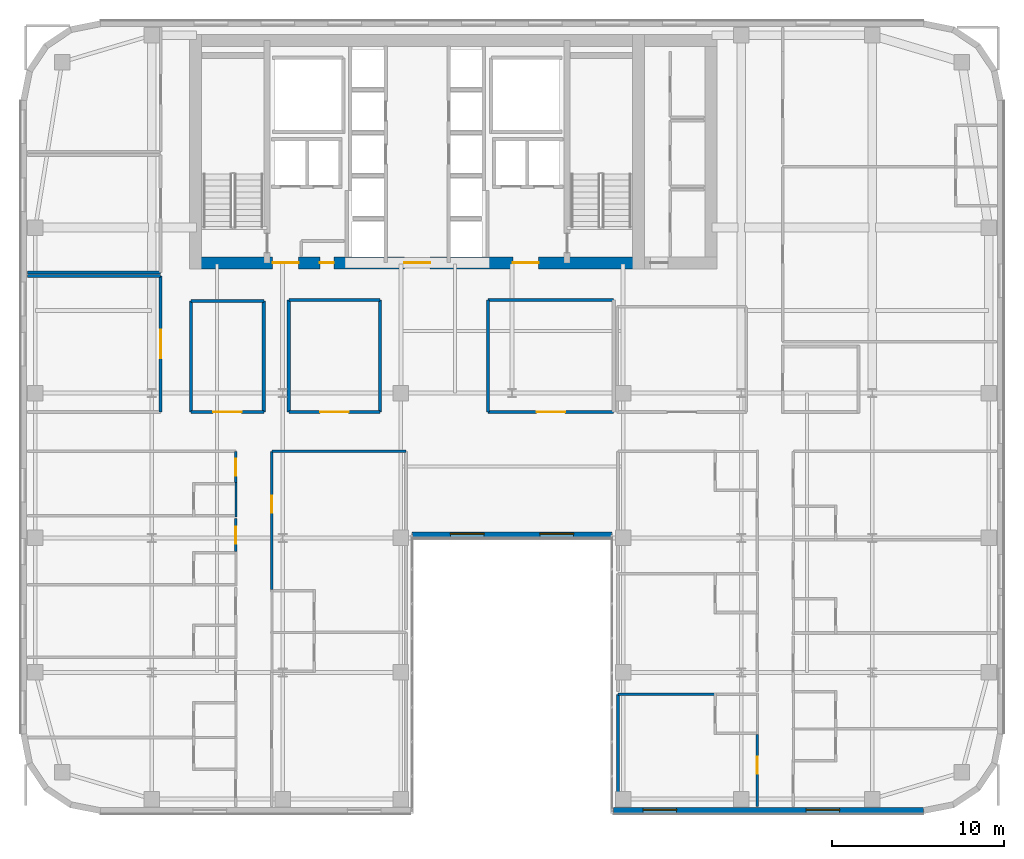
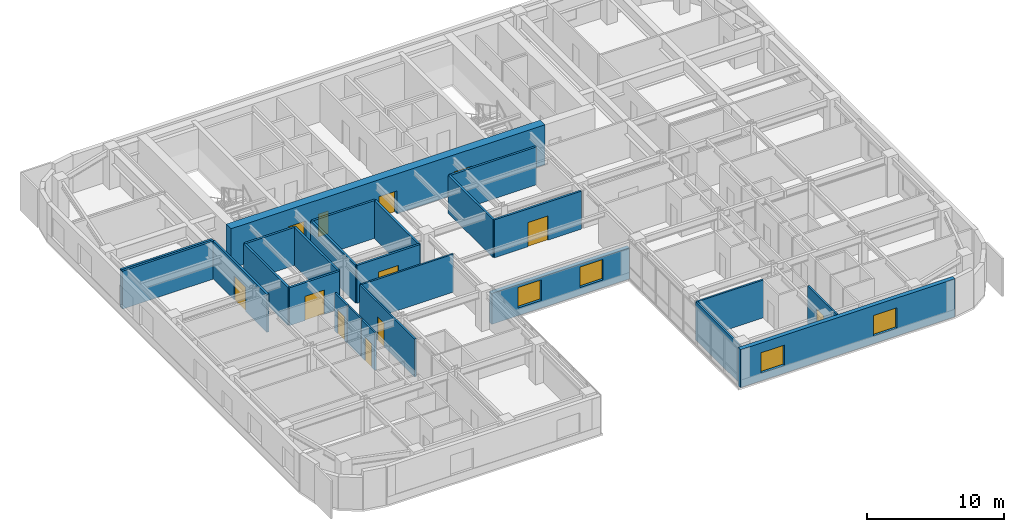
# One storey, part 15 of 25: 25 walls, 12 doors, 4 windows, 16 openings.
"""IFC4 building model written with IfcOpenShell, lengths in metres."""

from ifc_helpers import new_model, si_unit, direction, frame, frame_2d, origin, place, context, subcontext, project, spatial, rectangle, extrude, source, transform, mapped, material, layer, layer_set, type_object, type_shapes, element, fill, save


model = new_model("IFC4")

# Units and contexts
model_context = context("Model", 3, precision=1e-05, world=origin(), true_north=direction((0.0, 1.0)))
body_context = subcontext(model_context, "Body", "Model", "MODEL_VIEW")
ifc_project = project(units=[si_unit("LENGTHUNIT", "METRE"), si_unit("AREAUNIT", "SQUARE_METRE"), si_unit("VOLUMEUNIT", "CUBIC_METRE"), si_unit("PLANEANGLEUNIT", "RADIAN"), si_unit("MASSUNIT", "GRAM", prefix="KILO")], contexts=[model_context])

# Site, building, storey
site_placement = place(None, origin())
site = spatial("IfcSite", under=ifc_project, at=site_placement, CompositionType="ELEMENT")
building_placement = place(site_placement, origin())
building = spatial("IfcBuilding", under=site, at=building_placement, Name="Tolvann Quenvar Hotel", CompositionType="ELEMENT")
storey_placement = place(building_placement, frame((0.0, 0.0, 111.550048828125)))
storey = spatial("IfcBuildingStorey", under=building, at=storey_placement, Name="L28", CompositionType="ELEMENT", Elevation=111.550048828125)

# Wall, openings, doors
ifc_material_1 = material(Name="Concrete S65 (65 MPa)", Category="concrete")
ifc_layer_1 = layer(ifc_material_1, 0.699951171875)
ifc_layer_set_1 = layer_set([ifc_layer_1], Name="Concrete S65 (65 MPa)")
wall_type_1 = type_object("IfcWallType", Name="WALL_CORE_700", PredefinedType="SHEAR", material=ifc_layer_set_1)
wall_1_placement = place(storey_placement, frame((9.800048828125, 31.949951171875, 0.0), z_axis=(0.0, 0.0, 1.0), x_axis=(1.0, 0.0, 0.0)))
wall_1 = element("IfcWall", 1, at=wall_1_placement, inside=storey, type_object=wall_type_1, Name="Rear Core S Shear Wall (L28)", PredefinedType="SHEAR", context=body_context, shape_type="SweptSolid", body=[
    extrude(rectangle(XDim=26.39990234375, YDim=0.699951171875, at=frame_2d((13.199951171875, 0.0))), origin(), (0.0, 0.0, 1.0), 3.550048828125),
])
opening_1_placement = place(wall_1_placement, frame((6.320068359375, 0.0, 0.0), z_axis=(0.0, 0.0, 1.0), x_axis=(-1.0, 0.0, 0.0)))
opening_1 = element("IfcOpeningElement", 2, at=opening_1_placement, cuts=wall_1, Name="Opening FD-60D", PredefinedType="OPENING", context=body_context, shape_type="SweptSolid", body=[
    extrude(rectangle(XDim=1.5, YDim=2.0400390625, at=frame_2d((0.75, 1.02001953125))), frame((0.0, 0.35986328125, 0.0), z_axis=(0.0, -1.0, 0.0), x_axis=(1.0, 0.0, 0.0)), (0.0, 0.0, 1.0), 0.719970703125),
])
opening_2_placement = place(wall_1_placement, frame((13.949951171875, 0.0, 0.0), z_axis=(0.0, 0.0, 1.0), x_axis=(-1.0, 0.0, 0.0)))
opening_2 = element("IfcOpeningElement", 3, at=opening_2_placement, cuts=wall_1, Name="Opening FD-60D", PredefinedType="OPENING", context=body_context, shape_type="SweptSolid", body=[
    extrude(rectangle(XDim=1.5, YDim=2.0400390625, at=frame_2d((0.75, 1.02001953125))), frame((0.0, 0.35986328125, 0.0), z_axis=(0.0, -1.0, 0.0), x_axis=(1.0, 0.0, 0.0)), (0.0, 0.0, 1.0), 0.719970703125),
])
opening_3_placement = place(wall_1_placement, frame((20.25, 0.0, 0.0), z_axis=(0.0, 0.0, 1.0), x_axis=(-1.0, 0.0, 0.0)))
opening_3 = element("IfcOpeningElement", 4, at=opening_3_placement, cuts=wall_1, Name="Opening FD-60D", PredefinedType="OPENING", context=body_context, shape_type="SweptSolid", body=[
    extrude(rectangle(XDim=1.5, YDim=2.0400390625, at=frame_2d((0.75, 1.02001953125))), frame((0.0, 0.35986328125, 0.0), z_axis=(0.0, -1.0, 0.0), x_axis=(1.0, 0.0, 0.0)), (0.0, 0.0, 1.0), 0.719970703125),
])
opening_4_placement = place(wall_1_placement, frame((8.3701171875, 0.0, 0.0), z_axis=(0.0, 0.0, 1.0), x_axis=(-1.0, 0.0, 0.0)))
opening_4 = element("IfcOpeningElement", 5, at=opening_4_placement, cuts=wall_1, Name="Opening HD-02", PredefinedType="OPENING", context=body_context, shape_type="SweptSolid", body=[
    extrude(rectangle(XDim=0.820068359375, YDim=2.010009765625, at=frame_2d((0.41015625, 1.0048828125))), frame((0.0, 0.35986328125, 0.0), z_axis=(0.0, -1.0, 0.0), x_axis=(1.0, 0.0, 0.0)), (0.0, 0.0, 1.0), 0.719970703125),
])
ifc_material_2 = material(Name="Solid-core American oak acoustic fire door leaf in steel frame", Category="steel")
door_type_1 = type_object("IfcDoorType", Name="DOOR_FIRE_LOBBY_1500", OperationType="NOTDEFINED", PredefinedType="DOOR", material=ifc_material_2)
shared_shape_1 = source(origin(), body_context, "Body", "SweptSolid", [
    extrude(rectangle(XDim=1.5, YDim=2.0400390625, at=frame_2d((0.75, 1.02001953125))), frame((0.0, 0.02490234375, 0.0), z_axis=(0.0, -1.0, 0.0), x_axis=(1.0, 0.0, 0.0)), (0.0, 0.0, 1.0), 0.050048828125),
])
type_shapes(door_type_1, [shared_shape_1])
door_1_placement = place(opening_1_placement, origin())
door_1 = element("IfcDoor", 6, at=door_1_placement, inside=storey, type_object=door_type_1, Name="Core Lobby Fire Door FFW (L28)", OperationType="DOUBLE_DOOR_SINGLE_SWING", OverallHeight=2.0400390625, OverallWidth=1.5, PredefinedType="DOOR", context=body_context, shape_type="MappedRepresentation", body=[
    mapped(shared_shape_1, transform((0.0, 0.0, 0.0), x_axis=(1.0, 0.0, 0.0), y_axis=(0.0, 1.0, 0.0), z_axis=(0.0, 0.0, 1.0), scale=1.0)),
])
fill(opening_1, door_1)
door_2_placement = place(opening_2_placement, origin())
door_2 = element("IfcDoor", 7, at=door_2_placement, inside=storey, type_object=door_type_1, Name="Core Lobby Fire Door CLOB (L28)", OperationType="DOUBLE_DOOR_SINGLE_SWING", OverallHeight=2.0400390625, OverallWidth=1.5, PredefinedType="DOOR", context=body_context, shape_type="MappedRepresentation", body=[
    mapped(shared_shape_1, transform((0.0, 0.0, 0.0), x_axis=(1.0, 0.0, 0.0), y_axis=(0.0, 1.0, 0.0), z_axis=(0.0, 0.0, 1.0), scale=1.0)),
])
fill(opening_2, door_2)
door_3_placement = place(opening_3_placement, origin())
door_3 = element("IfcDoor", 8, at=door_3_placement, inside=storey, type_object=door_type_1, Name="Core Lobby Fire Door FFE (L28)", OperationType="DOUBLE_DOOR_SINGLE_SWING", OverallHeight=2.0400390625, OverallWidth=1.5, PredefinedType="DOOR", context=body_context, shape_type="MappedRepresentation", body=[
    mapped(shared_shape_1, transform((0.0, 0.0, 0.0), x_axis=(1.0, 0.0, 0.0), y_axis=(0.0, 1.0, 0.0), z_axis=(0.0, 0.0, 1.0), scale=1.0)),
])
fill(opening_3, door_3)
ifc_material_3 = material(Name="Pressed galvanised steel fire-rated door set", Category="steel")
door_type_2 = type_object("IfcDoorType", Name="DOOR_STORE_820", OperationType="NOTDEFINED", PredefinedType="DOOR", material=ifc_material_3)
shared_shape_2 = source(origin(), body_context, "Body", "SweptSolid", [
    extrude(rectangle(XDim=0.820068359375, YDim=2.010009765625, at=frame_2d((0.41015625, 1.0048828125))), frame((0.0, 0.02490234375, 0.0), z_axis=(0.0, -1.0, 0.0), x_axis=(1.0, 0.0, 0.0)), (0.0, 0.0, 1.0), 0.050048828125),
])
type_shapes(door_type_2, [shared_shape_2])
door_4_placement = place(opening_4_placement, origin())
door_4 = element("IfcDoor", 9, at=door_4_placement, inside=storey, type_object=door_type_2, Name="Core Linen Store Fire Door (L28)", OperationType="SINGLE_SWING_LEFT", OverallHeight=2.010009765625, OverallWidth=0.820068359375, PredefinedType="DOOR", context=body_context, shape_type="MappedRepresentation", body=[
    mapped(shared_shape_2, transform((0.0, 0.0, 0.0), x_axis=(1.0, 0.0, 0.0), y_axis=(0.0, 1.0, 0.0), z_axis=(0.0, 0.0, 1.0), scale=1.0)),
])
fill(opening_4, door_4)

# Wall, openings, windows
ifc_material_4 = material(Name="Kiln-fired red and buff architectural clay brickwork and terracotta masonry", Category="masonry")
ifc_layer_2 = layer(ifc_material_4, 0.35009765625)
ifc_layer_set_2 = layer_set([ifc_layer_2], Name="Kiln-fired red and buff architectural clay brickwork and terracotta masonry")
wall_type_2 = type_object("IfcWallType", Name="WALL_EXT_BRICK_350", PredefinedType="SOLIDWALL", material=ifc_layer_set_2)
wall_2_placement = place(storey_placement, frame((22.7099609375, 16.175048828125, 0.0), z_axis=(0.0, 0.0, 1.0), x_axis=(1.0, 0.0, 0.0)))
wall_2 = element("IfcWall", 10, at=wall_2_placement, inside=storey, type_object=wall_type_2, Name="Exterior Chicago Brick Wall L28-E06", PredefinedType="SOLIDWALL", context=body_context, shape_type="SweptSolid", body=[
    extrude(rectangle(XDim=11.580078125, YDim=0.35009765625, at=frame_2d((5.7900390625, 0.0))), origin(), (0.0, 0.0, 1.0), 2.748046875),
])
opening_5_placement = place(wall_2_placement, frame((2.219970703125, 0.0, 0.679931640625)))
opening_5 = element("IfcOpeningElement", 11, at=opening_5_placement, cuts=wall_2, Name="Opening W-10", PredefinedType="OPENING", context=body_context, shape_type="SweptSolid", body=[
    extrude(rectangle(XDim=1.949951171875, YDim=1.820068359375, at=frame_2d((0.97509765625, 0.91015625))), frame((0.0, 0.18505859375, 0.0), z_axis=(0.0, -1.0, 0.0), x_axis=(1.0, 0.0, 0.0)), (0.0, 0.0, 1.0), 0.3701171875),
])
opening_6_placement = place(wall_2_placement, frame((7.409912109375, 0.0, 0.679931640625)))
opening_6 = element("IfcOpeningElement", 12, at=opening_6_placement, cuts=wall_2, Name="Opening W-10", PredefinedType="OPENING", context=body_context, shape_type="SweptSolid", body=[
    extrude(rectangle(XDim=1.949951171875, YDim=1.820068359375, at=frame_2d((0.97509765625, 0.91015625))), frame((0.0, 0.18505859375, 0.0), z_axis=(0.0, -1.0, 0.0), x_axis=(1.0, 0.0, 0.0)), (0.0, 0.0, 1.0), 0.3701171875),
])
ifc_material_5 = material(Name="Thermally broken bronze-anodised aluminium frame with double low-E glazing", Category="aluminium")
window_type = type_object("IfcWindowType", Name="WIN_CLB_1950x1850", PartitioningType="DOUBLE_PANEL_VERTICAL", PredefinedType="WINDOW", material=ifc_material_5)
shared_shape_3 = source(origin(), body_context, "Body", "SweptSolid", [
    extrude(rectangle(XDim=1.949951171875, YDim=1.820068359375, at=frame_2d((0.97509765625, 0.91015625))), frame((0.0, 0.090087890625, 0.0), z_axis=(0.0, -1.0, 0.0), x_axis=(1.0, 0.0, 0.0)), (0.0, 0.0, 1.0), 0.06005859375),
])
type_shapes(window_type, [shared_shape_3])
window_1_placement = place(opening_5_placement, origin())
window_1 = element("IfcWindow", 13, at=window_1_placement, inside=storey, type_object=window_type, Name="Chicago Window W-10 (EW-L28-E06-W01)", OverallHeight=1.820068359375, OverallWidth=1.949951171875, PartitioningType="DOUBLE_PANEL_VERTICAL", PredefinedType="WINDOW", context=body_context, shape_type="MappedRepresentation", body=[
    mapped(shared_shape_3, transform((0.0, 0.0, 0.0), x_axis=(1.0, 0.0, 0.0), y_axis=(0.0, 1.0, 0.0), z_axis=(0.0, 0.0, 1.0), scale=1.0)),
])
fill(opening_5, window_1)
window_2_placement = place(opening_6_placement, origin())
window_2 = element("IfcWindow", 14, at=window_2_placement, inside=storey, type_object=window_type, Name="Chicago Window W-10 (EW-L28-E06-W02)", OverallHeight=1.820068359375, OverallWidth=1.949951171875, PartitioningType="DOUBLE_PANEL_VERTICAL", PredefinedType="WINDOW", context=body_context, shape_type="MappedRepresentation", body=[
    mapped(shared_shape_3, transform((0.0, 0.0, 0.0), x_axis=(1.0, 0.0, 0.0), y_axis=(0.0, 1.0, 0.0), z_axis=(0.0, 0.0, 1.0), scale=1.0)),
])
fill(opening_6, window_2)

wall_3_placement = place(storey_placement, frame((34.375, 0.175048828125, 0.0), z_axis=(0.0, 0.0, 1.0), x_axis=(1.0, 0.0, 0.0)))
wall_3 = element("IfcWall", 15, at=wall_3_placement, inside=storey, type_object=wall_type_2, Name="Exterior Chicago Brick Wall L28-E08", PredefinedType="SOLIDWALL", context=body_context, shape_type="SweptSolid", body=[
    extrude(rectangle(XDim=18.0078125, YDim=0.35009765625, at=frame_2d((9.00390625, 0.0))), origin(), (0.0, 0.0, 1.0), 3.369873046875),
])
opening_7_placement = place(wall_3_placement, frame((1.72607421875, 0.0, 0.679931640625)))
opening_7 = element("IfcOpeningElement", 16, at=opening_7_placement, cuts=wall_3, Name="Opening W-10", PredefinedType="OPENING", context=body_context, shape_type="SweptSolid", body=[
    extrude(rectangle(XDim=1.949951171875, YDim=1.820068359375, at=frame_2d((0.97509765625, 0.91015625))), frame((0.0, 0.18505859375, 0.0), z_axis=(0.0, -1.0, 0.0), x_axis=(1.0, 0.0, 0.0)), (0.0, 0.0, 1.0), 0.3701171875),
])
opening_8_placement = place(wall_3_placement, frame((11.179931640625, 0.0, 0.679931640625)))
opening_8 = element("IfcOpeningElement", 17, at=opening_8_placement, cuts=wall_3, Name="Opening W-10", PredefinedType="OPENING", context=body_context, shape_type="SweptSolid", body=[
    extrude(rectangle(XDim=1.949951171875, YDim=1.820068359375, at=frame_2d((0.97509765625, 0.91015625))), frame((0.0, 0.18505859375, 0.0), z_axis=(0.0, -1.0, 0.0), x_axis=(1.0, 0.0, 0.0)), (0.0, 0.0, 1.0), 0.3701171875),
])
window_3_placement = place(opening_7_placement, origin())
window_3 = element("IfcWindow", 18, at=window_3_placement, inside=storey, type_object=window_type, Name="Chicago Window W-10 (EW-L28-E08-W01)", OverallHeight=1.820068359375, OverallWidth=1.949951171875, PartitioningType="DOUBLE_PANEL_VERTICAL", PredefinedType="WINDOW", context=body_context, shape_type="MappedRepresentation", body=[
    mapped(shared_shape_3, transform((0.0, 0.0, 0.0), x_axis=(1.0, 0.0, 0.0), y_axis=(0.0, 1.0, 0.0), z_axis=(0.0, 0.0, 1.0), scale=1.0)),
])
fill(opening_7, window_3)
window_4_placement = place(opening_8_placement, origin())
window_4 = element("IfcWindow", 19, at=window_4_placement, inside=storey, type_object=window_type, Name="Chicago Window W-10 (EW-L28-E08-W02)", OverallHeight=1.820068359375, OverallWidth=1.949951171875, PartitioningType="DOUBLE_PANEL_VERTICAL", PredefinedType="WINDOW", context=body_context, shape_type="MappedRepresentation", body=[
    mapped(shared_shape_3, transform((0.0, 0.0, 0.0), x_axis=(1.0, 0.0, 0.0), y_axis=(0.0, 1.0, 0.0), z_axis=(0.0, 0.0, 1.0), scale=1.0)),
])
fill(opening_8, window_4)

# Wall
ifc_material_6 = material(Name="Acoustic twin-stud fire-rated gypsum plasterboard partition")
ifc_layer_3 = layer(ifc_material_6, 0.179931640625)
ifc_layer_set_3 = layer_set([ifc_layer_3], Name="Acoustic twin-stud fire-rated gypsum plasterboard partition")
wall_type_3 = type_object("IfcWallType", Name="WALL_PART_ACOUSTIC_180", PredefinedType="PARTITIONING", material=ifc_layer_set_3)
wall_4_placement = place(storey_placement, frame((0.405029296875, 31.199951171875, 0.0), z_axis=(0.0, 0.0, 1.0), x_axis=(1.0, 0.0, 0.0)))
element("IfcWall", 20, at=wall_4_placement, inside=storey, type_object=wall_type_3, Name="Interior Partition PT-SPC-L28-SAL-N", PredefinedType="PARTITIONING", context=body_context, shape_type="SweptSolid", body=[
    extrude(rectangle(XDim=7.715087890625, YDim=0.179931640625, at=frame_2d((3.857421875, 0.0))), origin(), (0.0, 0.0, 1.0), 3.369873046875),
])

# Wall, opening, door
wall_5_placement = place(storey_placement, frame((8.1201171875, 23.300048828125, 0.0), z_axis=(0.0, 0.0, 1.0), x_axis=(0.0, 1.0, 0.0)))
wall_5 = element("IfcWall", 21, at=wall_5_placement, inside=storey, type_object=wall_type_3, Name="Interior Partition PT-SPC-L28-SAL-E", PredefinedType="PARTITIONING", context=body_context, shape_type="SweptSolid", body=[
    extrude(rectangle(XDim=7.89990234375, YDim=0.179931640625, at=frame_2d((3.949951171875, 0.0))), origin(), (0.0, 0.0, 1.0), 3.369873046875),
])
opening_9_placement = place(wall_5_placement, frame((3.125, 0.0, 0.0)))
opening_9 = element("IfcOpeningElement", 22, at=opening_9_placement, cuts=wall_5, Name="Opening AD-01", PredefinedType="OPENING", context=body_context, shape_type="SweptSolid", body=[
    extrude(rectangle(XDim=1.64990234375, YDim=2.14990234375, at=frame_2d((0.824951171875, 1.074951171875))), frame((0.0, 0.10009765625, 0.0), z_axis=(0.0, -1.0, 0.0), x_axis=(1.0, 0.0, 0.0)), (0.0, 0.0, 1.0), 0.199951171875),
])
door_type_3 = type_object("IfcDoorType", Name="DOOR_SALON_1650", OperationType="NOTDEFINED", PredefinedType="DOOR", material=ifc_material_2)
shared_shape_4 = source(origin(), body_context, "Body", "SweptSolid", [
    extrude(rectangle(XDim=1.64990234375, YDim=2.14990234375, at=frame_2d((0.824951171875, 1.074951171875))), frame((0.0, 0.02490234375, 0.0), z_axis=(0.0, -1.0, 0.0), x_axis=(1.0, 0.0, 0.0)), (0.0, 0.0, 1.0), 0.050048828125),
])
type_shapes(door_type_3, [shared_shape_4])
door_5_placement = place(opening_9_placement, origin())
door_5 = element("IfcDoor", 23, at=door_5_placement, inside=storey, type_object=door_type_3, Name="Interior Door DOOR-SPC-L28-SAL", OperationType="DOUBLE_DOOR_SINGLE_SWING", OverallHeight=2.14990234375, OverallWidth=1.64990234375, PredefinedType="DOOR", context=body_context, shape_type="MappedRepresentation", body=[
    mapped(shared_shape_4, transform((0.0, 0.0, 0.0), x_axis=(1.0, 0.0, 0.0), y_axis=(0.0, 1.0, 0.0), z_axis=(0.0, 0.0, 1.0), scale=1.0)),
])
fill(opening_9, door_5)

# Wall
wall_6_placement = place(storey_placement, frame((0.405029296875, 31.39990234375, 0.0), z_axis=(0.0, 0.0, 1.0), x_axis=(1.0, 0.0, 0.0)))
element("IfcWall", 24, at=wall_6_placement, inside=storey, type_object=wall_type_3, Name="Interior Partition PT-SPC-L28-MTG-S", PredefinedType="PARTITIONING", context=body_context, shape_type="SweptSolid", body=[
    extrude(rectangle(XDim=7.715087890625, YDim=0.179931640625, at=frame_2d((3.857421875, 0.0))), origin(), (0.0, 0.0, 1.0), 3.369873046875),
])

# Wall, opening, door
wall_7_placement = place(storey_placement, frame((9.8798828125, 23.300048828125, 0.0), z_axis=(0.0, 0.0, 1.0), x_axis=(1.0, 0.0, 0.0)))
wall_7 = element("IfcWall", 25, at=wall_7_placement, inside=storey, type_object=wall_type_3, Name="Interior Partition PT-SPC-L28-MSP-W-S", PredefinedType="PARTITIONING", context=body_context, shape_type="SweptSolid", body=[
    extrude(rectangle(XDim=4.22021484375, YDim=0.179931640625, at=frame_2d((2.110107421875, 0.0))), origin(), (0.0, 0.0, 1.0), 3.369873046875),
])
opening_10_placement = place(wall_7_placement, frame((1.284912109375, 0.0, 0.0)))
opening_10 = element("IfcOpeningElement", 26, at=opening_10_placement, cuts=wall_7, Name="Opening AD-01", PredefinedType="OPENING", context=body_context, shape_type="SweptSolid", body=[
    extrude(rectangle(XDim=1.64990234375, YDim=2.14990234375, at=frame_2d((0.824951171875, 1.074951171875))), frame((0.0, 0.10009765625, 0.0), z_axis=(0.0, -1.0, 0.0), x_axis=(1.0, 0.0, 0.0)), (0.0, 0.0, 1.0), 0.199951171875),
])
door_6_placement = place(opening_10_placement, origin())
door_6 = element("IfcDoor", 27, at=door_6_placement, inside=storey, type_object=door_type_3, Name="Interior Door DOOR-SPC-L28-MSP-W", OperationType="DOUBLE_DOOR_SINGLE_SWING", OverallHeight=2.14990234375, OverallWidth=1.64990234375, PredefinedType="DOOR", context=body_context, shape_type="MappedRepresentation", body=[
    mapped(shared_shape_4, transform((0.0, 0.0, 0.0), x_axis=(1.0, 0.0, 0.0), y_axis=(0.0, 1.0, 0.0), z_axis=(0.0, 0.0, 1.0), scale=1.0)),
])
fill(opening_10, door_6)

# Walls
wall_8_placement = place(storey_placement, frame((9.8798828125, 29.75, 0.0), z_axis=(0.0, 0.0, 1.0), x_axis=(1.0, 0.0, 0.0)))
element("IfcWall", 28, at=wall_8_placement, inside=storey, type_object=wall_type_3, Name="Interior Partition PT-SPC-L28-MSP-W-N", PredefinedType="PARTITIONING", context=body_context, shape_type="SweptSolid", body=[
    extrude(rectangle(XDim=4.22021484375, YDim=0.179931640625, at=frame_2d((2.110107421875, 0.0))), origin(), (0.0, 0.0, 1.0), 3.369873046875),
])
for number, where, z_axis, x_axis, name in (
    (29, (9.8798828125, 23.300048828125, 0.0), (0.0, 0.0, 1.0), (0.0, 1.0, 0.0), "Interior Partition PT-SPC-L28-MSP-W-W"),
    (30, (14.10009765625, 23.300048828125, 0.0), (0.0, 0.0, 1.0), (0.0, 1.0, 0.0), "Interior Partition PT-SPC-L28-MSP-W-E"),
):
    element("IfcWall", number, at=place(storey_placement, frame(where, z_axis=z_axis, x_axis=x_axis)), inside=storey, type_object=wall_type_3, Name=name, PredefinedType="PARTITIONING", context=body_context, shape_type="SweptSolid", body=[
        extrude(rectangle(XDim=6.449951171875, YDim=0.179931640625, at=frame_2d((3.22509765625, 0.0))), origin(), (0.0, 0.0, 1.0), 3.369873046875),
    ])

# Wall, opening, door
wall_9_placement = place(storey_placement, frame((27.10009765625, 23.300048828125, 0.0), z_axis=(0.0, 0.0, 1.0), x_axis=(1.0, 0.0, 0.0)))
wall_9 = element("IfcWall", 31, at=wall_9_placement, inside=storey, type_object=wall_type_3, Name="Interior Partition PT-SPC-L28-MSP-C-S", PredefinedType="PARTITIONING", context=body_context, shape_type="SweptSolid", body=[
    extrude(rectangle(XDim=7.2998046875, YDim=0.179931640625, at=frame_2d((3.64990234375, 0.0))), origin(), (0.0, 0.0, 1.0), 3.369873046875),
])
opening_11_placement = place(wall_9_placement, frame((2.824951171875, 0.0, 0.0)))
opening_11 = element("IfcOpeningElement", 32, at=opening_11_placement, cuts=wall_9, Name="Opening AD-01", PredefinedType="OPENING", context=body_context, shape_type="SweptSolid", body=[
    extrude(rectangle(XDim=1.64990234375, YDim=2.14990234375, at=frame_2d((0.824951171875, 1.074951171875))), frame((0.0, 0.10009765625, 0.0), z_axis=(0.0, -1.0, 0.0), x_axis=(1.0, 0.0, 0.0)), (0.0, 0.0, 1.0), 0.199951171875),
])
door_7_placement = place(opening_11_placement, origin())
door_7 = element("IfcDoor", 33, at=door_7_placement, inside=storey, type_object=door_type_3, Name="Interior Door DOOR-SPC-L28-MSP-C", OperationType="DOUBLE_DOOR_SINGLE_SWING", OverallHeight=2.14990234375, OverallWidth=1.64990234375, PredefinedType="DOOR", context=body_context, shape_type="MappedRepresentation", body=[
    mapped(shared_shape_4, transform((0.0, 0.0, 0.0), x_axis=(1.0, 0.0, 0.0), y_axis=(0.0, 1.0, 0.0), z_axis=(0.0, 0.0, 1.0), scale=1.0)),
])
fill(opening_11, door_7)

# Walls
wall_10_placement = place(storey_placement, frame((27.10009765625, 29.800048828125, 0.0), z_axis=(0.0, 0.0, 1.0), x_axis=(1.0, 0.0, 0.0)))
element("IfcWall", 34, at=wall_10_placement, inside=storey, type_object=wall_type_3, Name="Interior Partition PT-SPC-L28-MSP-C-N", PredefinedType="PARTITIONING", context=body_context, shape_type="SweptSolid", body=[
    extrude(rectangle(XDim=7.2998046875, YDim=0.179931640625, at=frame_2d((3.64990234375, 0.0))), origin(), (0.0, 0.0, 1.0), 3.369873046875),
])
wall_11_placement = place(storey_placement, frame((27.10009765625, 23.300048828125, 0.0), z_axis=(0.0, 0.0, 1.0), x_axis=(0.0, 1.0, 0.0)))
element("IfcWall", 35, at=wall_11_placement, inside=storey, type_object=wall_type_3, Name="Interior Partition PT-SPC-L28-MSP-C-W", PredefinedType="PARTITIONING", context=body_context, shape_type="SweptSolid", body=[
    extrude(rectangle(XDim=6.5, YDim=0.179931640625, at=frame_2d((3.25, 0.0))), origin(), (0.0, 0.0, 1.0), 3.369873046875),
])

# Wall, opening, door
wall_12_placement = place(storey_placement, frame((15.550048828125, 23.300048828125, 0.0), z_axis=(0.0, 0.0, 1.0), x_axis=(1.0, 0.0, 0.0)))
wall_12 = element("IfcWall", 36, at=wall_12_placement, inside=storey, type_object=wall_type_3, Name="Interior Partition PT-SPC-L28-MSP-N-S", PredefinedType="PARTITIONING", context=body_context, shape_type="SweptSolid", body=[
    extrude(rectangle(XDim=5.300048828125, YDim=0.179931640625, at=frame_2d((2.64990234375, 0.0))), origin(), (0.0, 0.0, 1.0), 3.369873046875),
])
opening_12_placement = place(wall_12_placement, frame((1.824951171875, 0.0, 0.0)))
opening_12 = element("IfcOpeningElement", 37, at=opening_12_placement, cuts=wall_12, Name="Opening AD-01", PredefinedType="OPENING", context=body_context, shape_type="SweptSolid", body=[
    extrude(rectangle(XDim=1.64990234375, YDim=2.14990234375, at=frame_2d((0.824951171875, 1.074951171875))), frame((0.0, 0.10009765625, 0.0), z_axis=(0.0, -1.0, 0.0), x_axis=(1.0, 0.0, 0.0)), (0.0, 0.0, 1.0), 0.199951171875),
])
door_8_placement = place(opening_12_placement, origin())
door_8 = element("IfcDoor", 38, at=door_8_placement, inside=storey, type_object=door_type_3, Name="Interior Door DOOR-SPC-L28-MSP-N", OperationType="DOUBLE_DOOR_SINGLE_SWING", OverallHeight=2.14990234375, OverallWidth=1.64990234375, PredefinedType="DOOR", context=body_context, shape_type="MappedRepresentation", body=[
    mapped(shared_shape_4, transform((0.0, 0.0, 0.0), x_axis=(1.0, 0.0, 0.0), y_axis=(0.0, 1.0, 0.0), z_axis=(0.0, 0.0, 1.0), scale=1.0)),
])
fill(opening_12, door_8)

# Walls
wall_13_placement = place(storey_placement, frame((15.550048828125, 29.800048828125, 0.0), z_axis=(0.0, 0.0, 1.0), x_axis=(1.0, 0.0, 0.0)))
element("IfcWall", 39, at=wall_13_placement, inside=storey, type_object=wall_type_3, Name="Interior Partition PT-SPC-L28-MSP-N-N", PredefinedType="PARTITIONING", context=body_context, shape_type="SweptSolid", body=[
    extrude(rectangle(XDim=5.300048828125, YDim=0.179931640625, at=frame_2d((2.64990234375, 0.0))), origin(), (0.0, 0.0, 1.0), 3.369873046875),
])
for number, where, z_axis, x_axis, name in (
    (40, (15.550048828125, 23.300048828125, 0.0), (0.0, 0.0, 1.0), (0.0, 1.0, 0.0), "Interior Partition PT-SPC-L28-MSP-N-W"),
    (41, (20.85009765625, 23.300048828125, 0.0), (0.0, 0.0, 1.0), (0.0, 1.0, 0.0), "Interior Partition PT-SPC-L28-MSP-N-E"),
):
    element("IfcWall", number, at=place(storey_placement, frame(where, z_axis=z_axis, x_axis=x_axis)), inside=storey, type_object=wall_type_3, Name=name, PredefinedType="PARTITIONING", context=body_context, shape_type="SweptSolid", body=[
        extrude(rectangle(XDim=6.5, YDim=0.179931640625, at=frame_2d((3.25, 0.0))), origin(), (0.0, 0.0, 1.0), 3.369873046875),
    ])
ifc_material_7 = material(Name="Moisture-resistant acoustic plumbing wall assembly")
ifc_layer_4 = layer(ifc_material_7, 0.1201171875)
ifc_layer_set_4 = layer_set([ifc_layer_4], Name="Moisture-resistant acoustic plumbing wall assembly")
wall_type_4 = type_object("IfcWallType", Name="WALL_PART_BATH_120", PredefinedType="PLUMBINGWALL", material=ifc_layer_set_4)
wall_14_placement = place(storey_placement, frame((12.47998046875, 17.2099609375, 0.0), z_axis=(0.0, 0.0, 1.0), x_axis=(0.0, 1.0, 0.0)))
element("IfcWall", 42, at=wall_14_placement, inside=storey, type_object=wall_type_4, Name="Non-Rated Plumbing Partition PT-SPC-L28-ENS-WO05-E", PredefinedType="PLUMBINGWALL", context=body_context, shape_type="SweptSolid", body=[
    extrude(rectangle(XDim=1.989990234375, YDim=0.1201171875, at=frame_2d((0.9951171875, 0.0))), origin(), (0.0, 0.0, 1.0), 3.369873046875),
])

# Wall, opening, door
ifc_layer_5 = layer(ifc_material_6, 0.14990234375)
ifc_layer_set_5 = layer_set([ifc_layer_5], Name="Acoustic twin-stud fire-rated gypsum plasterboard partition")
wall_type_5 = type_object("IfcWallType", Name="WALL_PART_SUITE_150", PredefinedType="PARTITIONING", material=ifc_layer_set_5)
wall_15_placement = place(storey_placement, frame((12.47998046875, 15.2099609375, 0.0), z_axis=(0.0, 0.0, 1.0), x_axis=(0.0, 1.0, 0.0)))
wall_15 = element("IfcWall", 43, at=wall_15_placement, inside=storey, type_object=wall_type_5, Name="Interior Partition PT-SPC-L28-RM-WO04-ENT", PredefinedType="PARTITIONING", context=body_context, shape_type="SweptSolid", body=[
    extrude(rectangle(XDim=1.91015625, YDim=0.14990234375, at=frame_2d((0.955078125, 0.0))), origin(), (0.0, 0.0, 1.0), 3.369873046875),
])
opening_13_placement = place(wall_15_placement, frame((0.445068359375, 0.0, 0.0)))
opening_13 = element("IfcOpeningElement", 44, at=opening_13_placement, cuts=wall_15, Name="Opening SD-01", PredefinedType="OPENING", context=body_context, shape_type="SweptSolid", body=[
    extrude(rectangle(XDim=0.97998046875, YDim=2.1201171875, at=frame_2d((0.489990234375, 1.06005859375))), frame((0.0, 0.0849609375, 0.0), z_axis=(0.0, -1.0, 0.0), x_axis=(1.0, 0.0, 0.0)), (0.0, 0.0, 1.0), 0.169921875),
])
door_type_4 = type_object("IfcDoorType", Name="DOOR_SUITE_980", OperationType="NOTDEFINED", PredefinedType="DOOR", material=ifc_material_2)
shared_shape_5 = source(origin(), body_context, "Body", "SweptSolid", [
    extrude(rectangle(XDim=0.97998046875, YDim=2.1201171875, at=frame_2d((0.489990234375, 1.06005859375))), frame((0.0, 0.02490234375, 0.0), z_axis=(0.0, -1.0, 0.0), x_axis=(1.0, 0.0, 0.0)), (0.0, 0.0, 1.0), 0.050048828125),
])
type_shapes(door_type_4, [shared_shape_5])
door_9_placement = place(opening_13_placement, origin())
door_9 = element("IfcDoor", 45, at=door_9_placement, inside=storey, type_object=door_type_4, Name="Interior Door DOOR-SPC-L28-RM-WO04", OperationType="SINGLE_SWING_LEFT", OverallHeight=2.1201171875, OverallWidth=0.97998046875, PredefinedType="DOOR", context=body_context, shape_type="MappedRepresentation", body=[
    mapped(shared_shape_5, transform((0.0, 0.0, 0.0), x_axis=(1.0, 0.0, 0.0), y_axis=(0.0, 1.0, 0.0), z_axis=(0.0, 0.0, 1.0), scale=1.0)),
])
fill(opening_13, door_9)

wall_16_placement = place(storey_placement, frame((12.47998046875, 19.2099609375, 0.0), z_axis=(0.0, 0.0, 1.0), x_axis=(0.0, 1.0, 0.0)))
wall_16 = element("IfcWall", 46, at=wall_16_placement, inside=storey, type_object=wall_type_5, Name="Interior Partition PT-SPC-L28-RM-WO05-ENT", PredefinedType="PARTITIONING", context=body_context, shape_type="SweptSolid", body=[
    extrude(rectangle(XDim=1.81005859375, YDim=0.14990234375, at=frame_2d((0.905029296875, 0.0))), origin(), (0.0, 0.0, 1.0), 3.369873046875),
])
opening_14_placement = place(wall_16_placement, frame((0.39501953125, 0.0, 0.0)))
opening_14 = element("IfcOpeningElement", 47, at=opening_14_placement, cuts=wall_16, Name="Opening SD-01", PredefinedType="OPENING", context=body_context, shape_type="SweptSolid", body=[
    extrude(rectangle(XDim=0.97998046875, YDim=2.1201171875, at=frame_2d((0.489990234375, 1.06005859375))), frame((0.0, 0.0849609375, 0.0), z_axis=(0.0, -1.0, 0.0), x_axis=(1.0, 0.0, 0.0)), (0.0, 0.0, 1.0), 0.169921875),
])
door_10_placement = place(opening_14_placement, origin())
door_10 = element("IfcDoor", 48, at=door_10_placement, inside=storey, type_object=door_type_4, Name="Interior Door DOOR-SPC-L28-RM-WO05", OperationType="SINGLE_SWING_RIGHT", OverallHeight=2.1201171875, OverallWidth=0.97998046875, PredefinedType="DOOR", context=body_context, shape_type="MappedRepresentation", body=[
    mapped(shared_shape_5, transform((0.0, 0.0, 0.0), x_axis=(1.0, 0.0, 0.0), y_axis=(0.0, 1.0, 0.0), z_axis=(0.0, 0.0, 1.0), scale=1.0)),
])
fill(opening_14, door_10)

wall_17_placement = place(storey_placement, frame((14.570068359375, 13.010009765625, 0.0), z_axis=(0.0, 0.0, 1.0), x_axis=(0.0, 1.0, 0.0)))
wall_17 = element("IfcWall", 49, at=wall_17_placement, inside=storey, type_object=wall_type_5, Name="Interior Partition PT-SPC-L28-RM-WI02-ENT", PredefinedType="PARTITIONING", context=body_context, shape_type="SweptSolid", body=[
    extrude(rectangle(XDim=8.010009765625, YDim=0.14990234375, at=frame_2d((4.0048828125, 0.0))), origin(), (0.0, 0.0, 1.0), 3.369873046875),
])
opening_15_placement = place(wall_17_placement, frame((4.445068359375, 0.0, 0.0)))
opening_15 = element("IfcOpeningElement", 50, at=opening_15_placement, cuts=wall_17, Name="Opening SD-01", PredefinedType="OPENING", context=body_context, shape_type="SweptSolid", body=[
    extrude(rectangle(XDim=0.97998046875, YDim=2.1201171875, at=frame_2d((0.489990234375, 1.06005859375))), frame((0.0, 0.0849609375, 0.0), z_axis=(0.0, -1.0, 0.0), x_axis=(1.0, 0.0, 0.0)), (0.0, 0.0, 1.0), 0.169921875),
])
door_11_placement = place(opening_15_placement, origin())
door_11 = element("IfcDoor", 51, at=door_11_placement, inside=storey, type_object=door_type_4, Name="Interior Door DOOR-SPC-L28-RM-WI02", OperationType="SINGLE_SWING_RIGHT", OverallHeight=2.1201171875, OverallWidth=0.97998046875, PredefinedType="DOOR", context=body_context, shape_type="MappedRepresentation", body=[
    mapped(shared_shape_5, transform((0.0, 0.0, 0.0), x_axis=(1.0, 0.0, 0.0), y_axis=(0.0, 1.0, 0.0), z_axis=(0.0, 0.0, 1.0), scale=1.0)),
])
fill(opening_15, door_11)

# Wall
wall_18_placement = place(storey_placement, frame((14.570068359375, 21.02001953125, 0.0), z_axis=(0.0, 0.0, 1.0), x_axis=(1.0, 0.0, 0.0)))
element("IfcWall", 52, at=wall_18_placement, inside=storey, type_object=wall_type_5, Name="Interior Partition PT-SPC-L28-RM-WI02-E5", PredefinedType="PARTITIONING", context=body_context, shape_type="SweptSolid", body=[
    extrude(rectangle(XDim=7.780029296875, YDim=0.14990234375, at=frame_2d((3.89013671875, 0.0))), origin(), (0.0, 0.0, 1.0), 3.369873046875),
])

# Wall, opening, door
wall_19_placement = place(storey_placement, frame((42.72998046875, 0.405029296875, 0.0), z_axis=(0.0, 0.0, 1.0), x_axis=(0.0, 1.0, 0.0)))
wall_19 = element("IfcWall", 53, at=wall_19_placement, inside=storey, type_object=wall_type_5, Name="Interior Partition PT-SPC-L28-RM-EI01-ENT", PredefinedType="PARTITIONING", context=body_context, shape_type="SweptSolid", body=[
    extrude(rectangle(XDim=4.18505859375, YDim=0.14990234375, at=frame_2d((2.092529296875, 0.0))), origin(), (0.0, 0.0, 1.0), 3.369873046875),
])
opening_16_placement = place(wall_19_placement, frame((1.909912109375, 0.0, 0.0)))
opening_16 = element("IfcOpeningElement", 54, at=opening_16_placement, cuts=wall_19, Name="Opening SD-01", PredefinedType="OPENING", context=body_context, shape_type="SweptSolid", body=[
    extrude(rectangle(XDim=0.97998046875, YDim=2.1201171875, at=frame_2d((0.489990234375, 1.06005859375))), frame((0.0, 0.0849609375, 0.0), z_axis=(0.0, -1.0, 0.0), x_axis=(1.0, 0.0, 0.0)), (0.0, 0.0, 1.0), 0.169921875),
])
door_12_placement = place(opening_16_placement, origin())
door_12 = element("IfcDoor", 55, at=door_12_placement, inside=storey, type_object=door_type_4, Name="Interior Door DOOR-SPC-L28-RM-EI01", OperationType="SINGLE_SWING_LEFT", OverallHeight=2.1201171875, OverallWidth=0.97998046875, PredefinedType="DOOR", context=body_context, shape_type="MappedRepresentation", body=[
    mapped(shared_shape_5, transform((0.0, 0.0, 0.0), x_axis=(1.0, 0.0, 0.0), y_axis=(0.0, 1.0, 0.0), z_axis=(0.0, 0.0, 1.0), scale=1.0)),
])
fill(opening_16, door_12)

# Walls
wall_20_placement = place(storey_placement, frame((34.64990234375, 6.919921875, 0.0), z_axis=(0.0, 0.0, 1.0), x_axis=(1.0, 0.0, 0.0)))
element("IfcWall", 56, at=wall_20_placement, inside=storey, type_object=wall_type_5, Name="Interior Partition PT-SPC-L28-RM-EI01-E5", PredefinedType="PARTITIONING", context=body_context, shape_type="SweptSolid", body=[
    extrude(rectangle(XDim=5.610107421875, YDim=0.14990234375, at=frame_2d((2.80517578125, 0.0))), origin(), (0.0, 0.0, 1.0), 3.369873046875),
])
wall_21_placement = place(storey_placement, frame((34.64990234375, 0.405029296875, 0.0), z_axis=(0.0, 0.0, 1.0), x_axis=(0.0, 1.0, 0.0)))
element("IfcWall", 57, at=wall_21_placement, inside=storey, type_object=wall_type_5, Name="Interior Partition PT-SPC-L28-RM-EI01-E6", PredefinedType="PARTITIONING", context=body_context, shape_type="SweptSolid", body=[
    extrude(rectangle(XDim=6.514892578125, YDim=0.14990234375, at=frame_2d((3.25732421875, 0.0))), origin(), (0.0, 0.0, 1.0), 3.369873046875),
])

save(model, "model.ifc")
